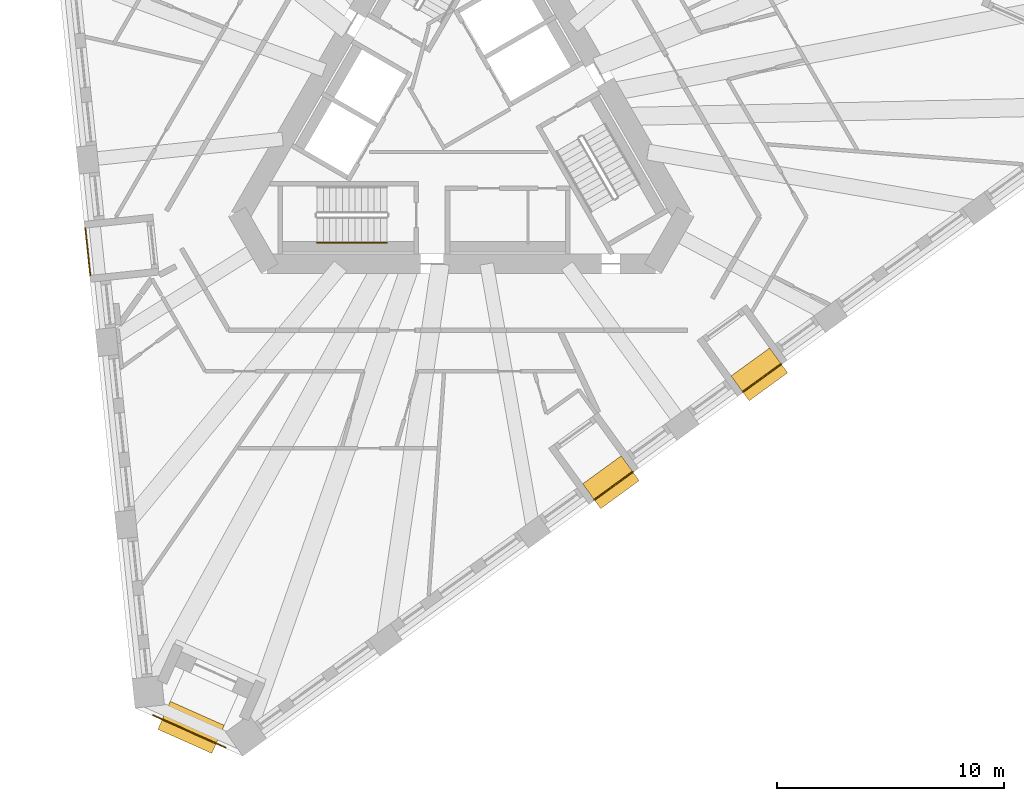
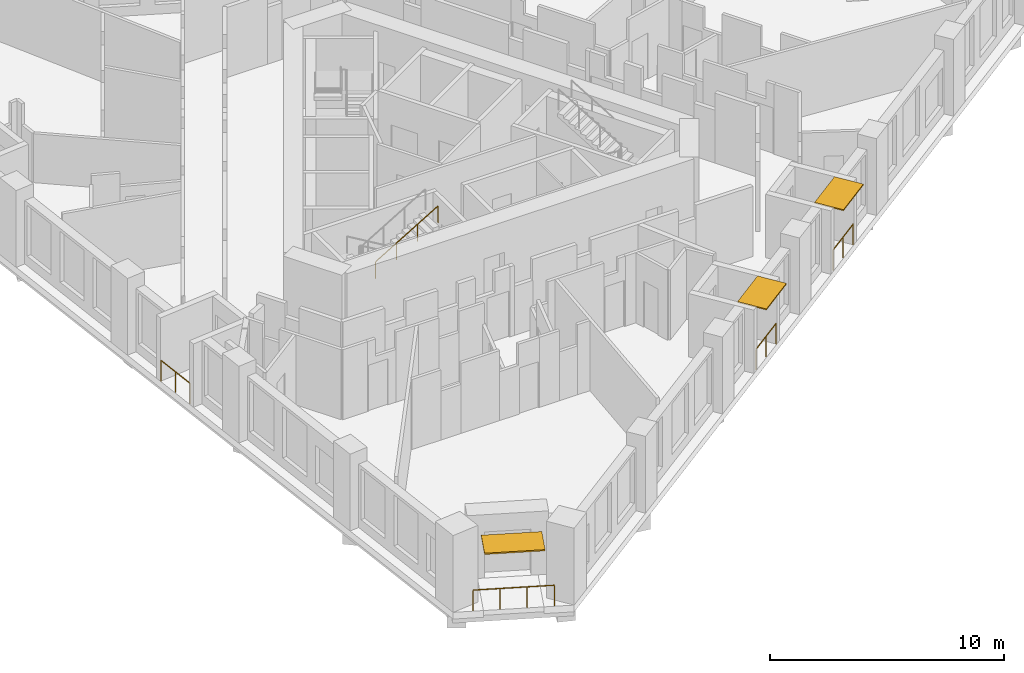
# One storey, part 10 of 14: 5 railings, 3 shading devices.
"""IFC4 building model written with IfcOpenShell, lengths in metres."""

from ifc_helpers import new_model, si_unit, direction, frame, origin, origin_2d, place, context, subcontext, project, spatial, rectangle, circle, extrude, material, layer, layer_set, type_object, element, save


model = new_model("IFC4")

# Units and contexts
model_context = context("Model", 3, precision=1e-05, world=origin(), true_north=direction((0.0, 1.0)))
body_context = subcontext(model_context, "Body", "Model", "MODEL_VIEW")
ifc_project = project(units=[si_unit("LENGTHUNIT", "METRE"), si_unit("AREAUNIT", "SQUARE_METRE"), si_unit("VOLUMEUNIT", "CUBIC_METRE"), si_unit("PLANEANGLEUNIT", "RADIAN"), si_unit("MASSUNIT", "GRAM", prefix="KILO")], contexts=[model_context])

# Site, building, storey
site_placement = place(None, origin())
site = spatial("IfcSite", under=ifc_project, at=site_placement, CompositionType="ELEMENT")
building_placement = place(site_placement, origin())
building = spatial("IfcBuilding", under=site, at=building_placement, Name="Tramontana Tower", CompositionType="ELEMENT")
storey_placement = place(building_placement, frame((0.0, 0.0, 178.800048828125)))
storey = spatial("IfcBuildingStorey", under=building, at=storey_placement, Name="L41", CompositionType="ELEMENT", Elevation=178.800048828125)

# Railings
ifc_material_1 = material(Name="Laminated glass balustrade", Category="glass")
railing_type_1 = type_object("IfcRailingType", Name="GD1 Loggia glass balustrade 1100", PredefinedType="BALUSTRADE", material=ifc_material_1)
railing_1_placement = place(storey_placement, frame((-16.56396484375, -4.751708984375, 0.0)))
element("IfcRailing", 1, at=railing_1_placement, inside=storey, type_object=railing_type_1, Name="Loggia balustrade L41 G4S0.10", PredefinedType="BALUSTRADE", context=body_context, shape_type="SweptSolid", body=[
    extrude(circle(Radius=0.02392578125, at=origin_2d()), frame((0.0, 0.0, 1.076171875), z_axis=(0.104454180193, -0.994529700029, 0.0), x_axis=(0.994529700029, 0.104454180193, 0.0)), (0.0, 0.0, 1.0), 2.09423828125),
    extrude(circle(Radius=0.02099609375, at=origin_2d()), origin(), (0.0, 0.0, 1.0), 1.052001953125),
    extrude(circle(Radius=0.02099609375, at=origin_2d()), frame((0.109375, -1.04150390625, 0.0)), (0.0, 0.0, 1.0), 1.052001953125),
    extrude(circle(Radius=0.02099609375, at=origin_2d()), frame((0.21875, -2.082763671875, 0.0)), (0.0, 0.0, 1.0), 1.052001953125),
])
for number, where, name in (
    (2, (5.85791015625, -16.719970703125, 0.0), "Loggia balustrade L41 G4S1.7"),
    (3, (12.397216796875, -11.968994140625, 0.0), "Loggia balustrade L41 G4S1.10"),
):
    element("IfcRailing", number, at=place(storey_placement, frame(where)), inside=storey, type_object=railing_type_1, Name=name, PredefinedType="BALUSTRADE", context=body_context, shape_type="SweptSolid", body=[
        extrude(circle(Radius=0.02392578125, at=origin_2d()), frame((0.0, 0.0, 1.076171875), z_axis=(0.809028366311, 0.587769599847, 0.0), x_axis=(-0.587769599847, 0.809028366311, 0.0)), (0.0, 0.0, 1.0), 2.09423828125),
        extrude(circle(Radius=0.02099609375, at=origin_2d()), origin(), (0.0, 0.0, 1.0), 1.052001953125),
        extrude(circle(Radius=0.02099609375, at=origin_2d()), frame((0.84716796875, 0.615478515625, 0.0)), (0.0, 0.0, 1.0), 1.052001953125),
        extrude(circle(Radius=0.02099609375, at=origin_2d()), frame((1.6943359375, 1.23095703125, 0.0)), (0.0, 0.0, 1.0), 1.052001953125),
    ])
railing_2_placement = place(storey_placement, frame((-10.387939453125, -27.634033203125, 0.0)))
element("IfcRailing", 4, at=railing_2_placement, inside=storey, type_object=railing_type_1, Name="Corner loggia balustrade L41 K41", PredefinedType="BALUSTRADE", context=body_context, shape_type="SweptSolid", body=[
    extrude(circle(Radius=0.02392578125, at=origin_2d()), frame((0.0, 0.0, 1.076171875), z_axis=(-0.913538066796, 0.406753242783, 0.0), x_axis=(-0.406753242783, -0.913538066796, 0.0)), (0.0, 0.0, 1.0), 3.499755859375),
    extrude(circle(Radius=0.02099609375, at=origin_2d()), origin(), (0.0, 0.0, 1.0), 1.052001953125),
    extrude(circle(Radius=0.02099609375, at=origin_2d()), frame((-1.065673828125, 0.474609375, 0.0)), (0.0, 0.0, 1.0), 1.052001953125),
    extrude(circle(Radius=0.02099609375, at=origin_2d()), frame((-2.131591796875, 0.948974609375, 0.0)), (0.0, 0.0, 1.0), 1.052001953125),
    extrude(circle(Radius=0.02099609375, at=origin_2d()), frame((-3.197265625, 1.423583984375, 0.0)), (0.0, 0.0, 1.0), 1.052001953125),
])

# Shading devices
ifc_material_2 = material(Name="Precast concrete 60 MPa", Category="concrete")
ifc_layer_1 = layer(ifc_material_2, 0.06005859375)
ifc_layer_set_1 = layer_set([ifc_layer_1], Name="SS1 Stone sunshade blade 60")
shading_device_type_1 = type_object("IfcShadingDeviceType", Name="SS1 Stone sunshade blade 60", PredefinedType="USERDEFINED", material=ifc_layer_set_1)
for number, where, z_axis, x_axis, name in (
    (5, (6.590576171875, -15.94677734375, 3.239990234375), (0.0, 0.0, 1.0), (0.809016994375, 0.587785252292, 0.0), "Sunshade L41 G4S1.7"),
    (6, (13.129638671875, -11.19580078125, 3.239990234375), (0.0, 0.0, 1.0), (0.809016994375, 0.587785252292, 0.0), "Sunshade L41 G4S1.10"),
):
    element("IfcShadingDevice", number, at=place(storey_placement, frame(where, z_axis=z_axis, x_axis=x_axis)), inside=storey, type_object=shading_device_type_1, Name=name, ObjectType="SUNSHADE", PredefinedType="USERDEFINED", context=body_context, shape_type="SweptSolid", body=[
        extrude(rectangle(XDim=2.09423828125, YDim=1.35009765625, at=origin_2d()), origin(), (0.0, 0.0, 1.0), 0.06005859375),
    ])
ifc_material_3 = material(Name="Precast concrete 60 MPa", Category="concrete")
ifc_layer_2 = layer(ifc_material_3, 0.070068359375)
ifc_layer_set_2 = layer_set([ifc_layer_2], Name="SS2 Stone sunshade blade 70")
shading_device_type_2 = type_object("IfcShadingDeviceType", Name="SS2 Stone sunshade blade 70", PredefinedType="USERDEFINED", material=ifc_layer_set_2)
shading_device_placement = place(storey_placement, frame((-11.9072265625, -26.744140625, 3.22998046875), z_axis=(0.0, 0.0, 1.0), x_axis=(-0.913545457643, 0.406736643076, 0.0)))
element("IfcShadingDevice", 7, at=shading_device_placement, inside=storey, type_object=shading_device_type_2, Name="Corner sunshade L41 K41", ObjectType="SUNSHADE", PredefinedType="USERDEFINED", context=body_context, shape_type="SweptSolid", body=[
    extrude(rectangle(XDim=2.60009765625, YDim=1.35009765625, at=origin_2d()), origin(), (0.0, 0.0, 1.0), 0.070068359375),
])

# Railing
ifc_material_4 = material(Name="Painted steel", Category="steel")
railing_type_2 = type_object("IfcRailingType", Name="STAIR HANDRAIL 900", PredefinedType="HANDRAIL", material=ifc_material_4)
railing_3_placement = place(storey_placement, frame((-6.360107421875, -5.39990234375, 2.16650390625)))
element("IfcRailing", 8, at=railing_3_placement, inside=storey, type_object=railing_type_2, Name="L41 ST2 stair handrail 2", PredefinedType="HANDRAIL", context=body_context, shape_type="SweptSolid", body=[
    extrude(circle(Radius=0.02392578125, at=origin_2d()), frame((0.0, 0.0, 0.8759765625), z_axis=(0.85927862911, 0.0, 0.511507807912), x_axis=(0.0, 1.0, 0.0)), (0.0, 0.0, 1.0), 3.58447265625),
    extrude(circle(Radius=0.02099609375, at=origin_2d()), origin(), (0.0, 0.0, 1.0), 0.851806640625),
    extrude(circle(Radius=0.02099609375, at=origin_2d()), frame((1.026611328125, 0.0, 0.611083984375)), (0.0, 0.0, 1.0), 0.851806640625),
    extrude(circle(Radius=0.02099609375, at=origin_2d()), frame((2.053466796875, 0.0, 1.222412109375)), (0.0, 0.0, 1.0), 0.851806640625),
    extrude(circle(Radius=0.02099609375, at=origin_2d()), frame((3.080078125, 0.0, 1.83349609375)), (0.0, 0.0, 1.0), 0.851806640625),
])

save(model, "model.ifc")
